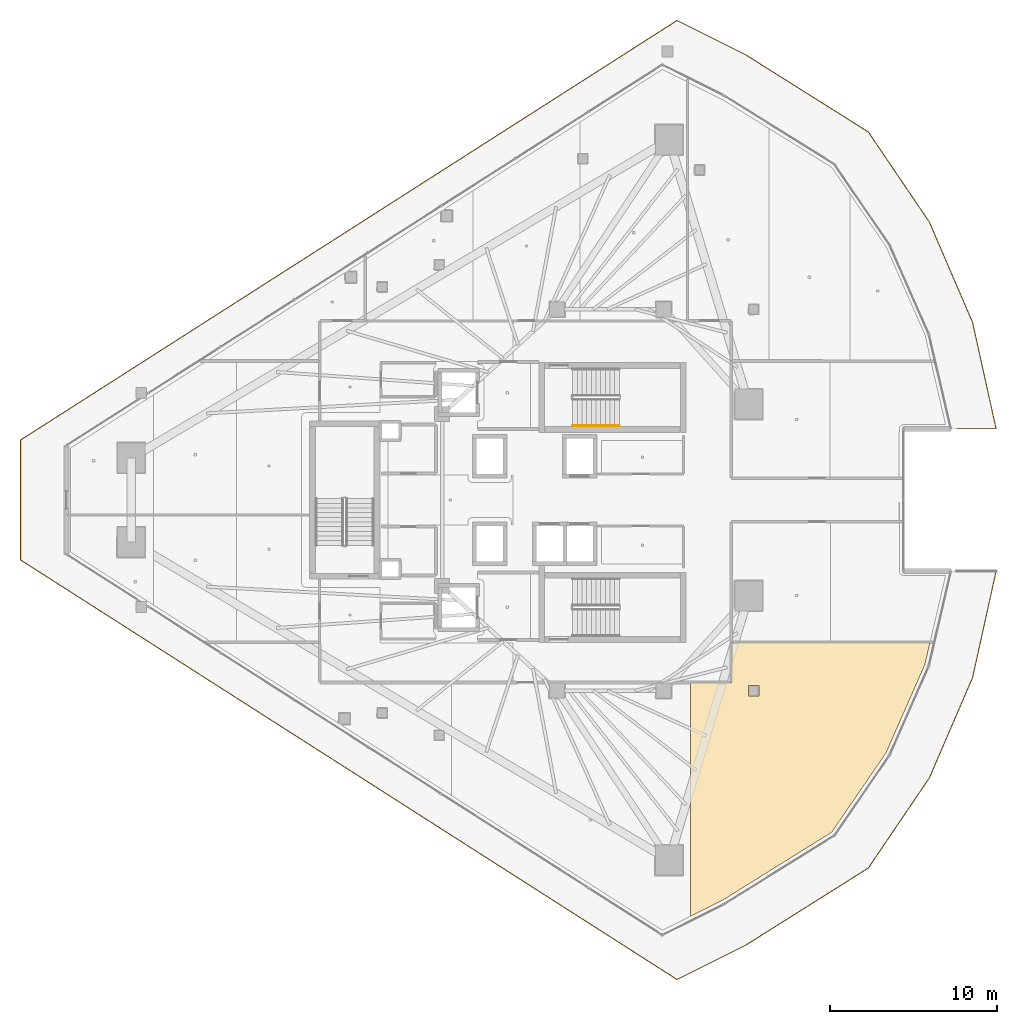
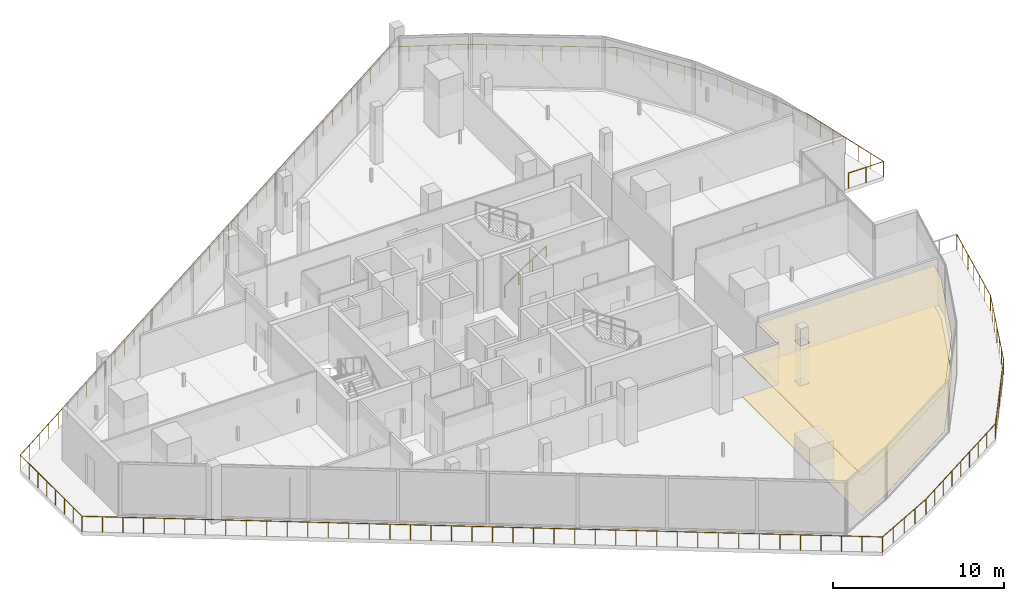
# One storey, part 30 of 33: 2 coverings, 2 railings.
"""IFC4 building model written with IfcOpenShell, lengths in metres."""

from ifc_helpers import new_model, si_unit, direction, frame, origin, origin_2d, place, context, subcontext, project, spatial, polyline, circle, outline, extrude, material, layer, layer_set, type_object, element, save


model = new_model("IFC4")

# Units and contexts
model_context = context("Model", 3, precision=1e-05, world=origin(), true_north=direction((0.0, 1.0)))
body_context = subcontext(model_context, "Body", "Model", "MODEL_VIEW")
ifc_project = project(units=[si_unit("LENGTHUNIT", "METRE"), si_unit("AREAUNIT", "SQUARE_METRE"), si_unit("VOLUMEUNIT", "CUBIC_METRE"), si_unit("PLANEANGLEUNIT", "RADIAN"), si_unit("MASSUNIT", "GRAM", prefix="KILO")], contexts=[model_context])

# Site, building, storey
site_placement = place(None, origin())
site = spatial("IfcSite", under=ifc_project, at=site_placement, CompositionType="ELEMENT")
building_placement = place(site_placement, origin())
building = spatial("IfcBuilding", under=site, at=building_placement, Name="Qorvath Tower", CompositionType="ELEMENT")
storey_placement = place(building_placement, frame((0.0, 0.0, 221.25)))
storey = spatial("IfcBuildingStorey", under=building, at=storey_placement, Name="L51", CompositionType="ELEMENT", Elevation=221.25)

# Coverings
ifc_material_1 = material(Name="Acoustic mineral fibre ceiling tile", Category="gypsum")
ifc_layer_1 = layer(ifc_material_1, 0.030029296875)
ifc_layer_set_1 = layer_set([ifc_layer_1], Name="COV-CEIL")
covering_type_1 = type_object("IfcCoveringType", Name="COV-CEIL", PredefinedType="CEILING", material=ifc_layer_set_1)
covering_1_placement = place(storey_placement, frame((0.0, 0.0, 2.85009765625)))
element("IfcCovering", 1, at=covering_1_placement, inside=storey, type_object=covering_type_1, Name="L51 Suspended Acoustic Ceiling 021", PredefinedType="CEILING", context=body_context, shape_type="SweptSolid", body=[
    extrude(outline(polyline([(-13.6796875, -24.044921875), (-7.109619140625, -19.949462890625), (-3.853515625, -15.191162109375), (-1.519287109375, -9.886474609375), (-1.208984375, -8.554931640625), (-13.136962890625, -8.554931640625), (-13.14208984375, -10.962890625), (-15.579345703125, -10.962890625), (-15.579345703125, -24.994873046875), (-13.6796875, -24.044921875)]), holes=[polyline([(-12.117431640625, -11.767333984375), (-12.117431640625, -11.132568359375), (-11.482666015625, -11.132568359375), (-11.482666015625, -11.767333984375), (-12.117431640625, -11.767333984375)])]), origin(), (0.0, 0.0, 1.0), 0.030029296875),
])
ifc_material_2 = material(Name="Low-VOC modular carpet tile", Category="textile")
ifc_layer_2 = layer(ifc_material_2, 0.014892578125)
ifc_layer_set_2 = layer_set([ifc_layer_2], Name="COV-FLOOR-CPT")
covering_type_2 = type_object("IfcCoveringType", Name="COV-FLOOR-CPT", PredefinedType="FLOORING", material=ifc_layer_set_2)
covering_2_placement = place(storey_placement, origin())
element("IfcCovering", 2, at=covering_2_placement, inside=storey, type_object=covering_type_2, Name="L51 Floor Finish 021", PredefinedType="FLOORING", context=body_context, shape_type="SweptSolid", body=[
    extrude(outline(polyline([(-13.6796875, -24.044921875), (-7.109619140625, -19.949462890625), (-3.853515625, -15.191162109375), (-1.519287109375, -9.886474609375), (-1.208984375, -8.554931640625), (-13.136962890625, -8.554931640625), (-13.14208984375, -10.962890625), (-15.579345703125, -10.962890625), (-15.579345703125, -24.994873046875), (-13.6796875, -24.044921875)]), holes=[polyline([(-12.117431640625, -11.767333984375), (-12.117431640625, -11.132568359375), (-11.482666015625, -11.132568359375), (-11.482666015625, -11.767333984375), (-12.117431640625, -11.767333984375)])]), origin(), (0.0, 0.0, 1.0), 0.014892578125),
])

# Railings
ifc_material_3 = material(Name="Laminated safety glass and stainless steel AISI 316", Category="steel")
railing_type_1 = type_object("IfcRailingType", Name="RL-EXT-GRD", PredefinedType="GUARDRAIL", material=ifc_material_3)
railing_1_placement = place(storey_placement, frame((2.76611328125, -4.27685546875, 0.0)))
element("IfcRailing", 3, at=railing_1_placement, inside=storey, type_object=railing_type_1, Name="Loggia Perimeter Guardrail L51-1.1", PredefinedType="GUARDRAIL", context=body_context, shape_type="SweptSolid", body=[
    extrude(circle(Radius=0.02392578125, at=origin_2d()), frame((0.0, 0.0, 1.09619140625), z_axis=(-0.216105421609, -0.976370035771, 0.0), x_axis=(0.976370035771, -0.216105421609, 0.0)), (0.0, 0.0, 1.0), 6.549072265625),
    extrude(circle(Radius=0.02392578125, at=origin_2d()), frame((-1.415283203125, -6.394287109375, 1.09619140625), z_axis=(-0.395488925139, -0.918470745365, 0.0), x_axis=(0.918470745365, -0.395488925139, 0.0)), (0.0, 0.0, 1.0), 6.549072265625),
    extrude(circle(Radius=0.02392578125, at=origin_2d()), frame((-4.00537109375, -12.409423828125, 1.09619140625), z_axis=(-0.560810228442, -0.827944374747, 0.0), x_axis=(0.827944374747, -0.560810228442, 0.0)), (0.0, 0.0, 1.0), 6.549072265625),
    extrude(circle(Radius=0.02392578125, at=origin_2d()), frame((-7.67822265625, -17.831787109375, 1.09619140625), z_axis=(-0.84649722709, -0.532393129678, 0.0), x_axis=(0.532393129678, -0.84649722709, 0.0)), (0.0, 0.0, 1.0), 8.709228515625),
    extrude(circle(Radius=0.02392578125, at=origin_2d()), frame((-15.050537109375, -22.468505859375, 1.09619140625), z_axis=(-0.894427191, -0.4472135955, 0.0), x_axis=(0.4472135955, -0.894427191, 0.0)), (0.0, 0.0, 1.0), 4.600341796875),
    extrude(circle(Radius=0.02392578125, at=origin_2d()), frame((-19.165283203125, -24.52587890625, 1.09619140625), z_axis=(-0.8426027545, 0.538535605237, 0.0), x_axis=(-0.538535605237, -0.8426027545, 0.0)), (0.0, 0.0, 1.0), 46.798095703125),
    extrude(circle(Radius=0.02392578125, at=origin_2d()), frame((-58.597412109375, 0.676513671875, 1.09619140625), z_axis=(0.0, 1.0, 0.0), x_axis=(-1.0, 0.0, 0.0)), (0.0, 0.0, 1.0), 7.20068359375),
    extrude(circle(Radius=0.02392578125, at=origin_2d()), frame((-58.597412109375, 7.877197265625, 1.09619140625), z_axis=(0.8426027545, 0.538535605237, 0.0), x_axis=(-0.538535605237, 0.8426027545, 0.0)), (0.0, 0.0, 1.0), 46.798095703125),
    extrude(circle(Radius=0.02392578125, at=origin_2d()), frame((-19.165283203125, 33.07958984375, 1.09619140625), z_axis=(0.894427191, -0.4472135955, 0.0), x_axis=(0.4472135955, 0.894427191, 0.0)), (0.0, 0.0, 1.0), 4.600341796875),
    extrude(circle(Radius=0.02392578125, at=origin_2d()), frame((-15.050537109375, 31.022216796875, 1.09619140625), z_axis=(0.84649722709, -0.532393129678, 0.0), x_axis=(0.532393129678, 0.84649722709, 0.0)), (0.0, 0.0, 1.0), 8.709228515625),
    extrude(circle(Radius=0.02392578125, at=origin_2d()), frame((-7.67822265625, 26.385498046875, 1.09619140625), z_axis=(0.560810228442, -0.827944374747, 0.0), x_axis=(0.827944374747, 0.560810228442, 0.0)), (0.0, 0.0, 1.0), 6.549072265625),
    extrude(circle(Radius=0.02392578125, at=origin_2d()), frame((-4.00537109375, 20.963134765625, 1.09619140625), z_axis=(0.395488925139, -0.918470745365, 0.0), x_axis=(0.918470745365, 0.395488925139, 0.0)), (0.0, 0.0, 1.0), 6.549072265625),
    extrude(circle(Radius=0.02392578125, at=origin_2d()), frame((-1.415283203125, 14.947998046875, 1.09619140625), z_axis=(0.216105421609, -0.976370035771, 0.0), x_axis=(0.976370035771, 0.216105421609, 0.0)), (0.0, 0.0, 1.0), 6.549072265625),
    extrude(circle(Radius=0.02392578125, at=origin_2d()), frame((0.0, 8.5537109375, 1.09619140625), z_axis=(-1.0, 0.0, 0.0), x_axis=(0.0, -1.0, 0.0)), (0.0, 0.0, 1.0), 2.366943359375),
    extrude(circle(Radius=0.02099609375, at=origin_2d()), origin(), (0.0, 0.0, 1.0), 1.072021484375),
    extrude(circle(Radius=0.02099609375, at=origin_2d()), frame((-0.23583984375, -1.065673828125, 0.0)), (0.0, 0.0, 1.0), 1.072021484375),
    extrude(circle(Radius=0.02099609375, at=origin_2d()), frame((-0.4716796875, -2.13134765625, 0.0)), (0.0, 0.0, 1.0), 1.072021484375),
    extrude(circle(Radius=0.02099609375, at=origin_2d()), frame((-0.70751953125, -3.197265625, 0.0)), (0.0, 0.0, 1.0), 1.072021484375),
    extrude(circle(Radius=0.02099609375, at=origin_2d()), frame((-0.943603515625, -4.262939453125, 0.0)), (0.0, 0.0, 1.0), 1.072021484375),
    extrude(circle(Radius=0.02099609375, at=origin_2d()), frame((-1.179443359375, -5.32861328125, 0.0)), (0.0, 0.0, 1.0), 1.072021484375),
    extrude(circle(Radius=0.02099609375, at=origin_2d()), frame((-1.415283203125, -6.394287109375, 0.0)), (0.0, 0.0, 1.0), 1.072021484375),
    extrude(circle(Radius=0.02099609375, at=origin_2d()), frame((-1.846923828125, -7.396728515625, 0.0)), (0.0, 0.0, 1.0), 1.072021484375),
    extrude(circle(Radius=0.02099609375, at=origin_2d()), frame((-2.278564453125, -8.3994140625, 0.0)), (0.0, 0.0, 1.0), 1.072021484375),
    extrude(circle(Radius=0.02099609375, at=origin_2d()), frame((-2.71044921875, -9.40185546875, 0.0)), (0.0, 0.0, 1.0), 1.072021484375),
    extrude(circle(Radius=0.02099609375, at=origin_2d()), frame((-3.14208984375, -10.404296875, 0.0)), (0.0, 0.0, 1.0), 1.072021484375),
    extrude(circle(Radius=0.02099609375, at=origin_2d()), frame((-3.57373046875, -11.406982421875, 0.0)), (0.0, 0.0, 1.0), 1.072021484375),
    extrude(circle(Radius=0.02099609375, at=origin_2d()), frame((-4.00537109375, -12.409423828125, 0.0)), (0.0, 0.0, 1.0), 1.072021484375),
    extrude(circle(Radius=0.02099609375, at=origin_2d()), frame((-4.617431640625, -13.313232421875, 0.0)), (0.0, 0.0, 1.0), 1.072021484375),
    extrude(circle(Radius=0.02099609375, at=origin_2d()), frame((-5.229736328125, -14.216796875, 0.0)), (0.0, 0.0, 1.0), 1.072021484375),
    extrude(circle(Radius=0.02099609375, at=origin_2d()), frame((-5.841796875, -15.12060546875, 0.0)), (0.0, 0.0, 1.0), 1.072021484375),
    extrude(circle(Radius=0.02099609375, at=origin_2d()), frame((-6.453857421875, -16.0244140625, 0.0)), (0.0, 0.0, 1.0), 1.072021484375),
    extrude(circle(Radius=0.02099609375, at=origin_2d()), frame((-7.066162109375, -16.927978515625, 0.0)), (0.0, 0.0, 1.0), 1.072021484375),
    extrude(circle(Radius=0.02099609375, at=origin_2d()), frame((-7.67822265625, -17.831787109375, 0.0)), (0.0, 0.0, 1.0), 1.072021484375),
    extrude(circle(Radius=0.02099609375, at=origin_2d()), frame((-8.599853515625, -18.411376953125, 0.0)), (0.0, 0.0, 1.0), 1.072021484375),
    extrude(circle(Radius=0.02099609375, at=origin_2d()), frame((-9.521240234375, -18.990966796875, 0.0)), (0.0, 0.0, 1.0), 1.072021484375),
    extrude(circle(Radius=0.02099609375, at=origin_2d()), frame((-10.44287109375, -19.570556640625, 0.0)), (0.0, 0.0, 1.0), 1.072021484375),
    extrude(circle(Radius=0.02099609375, at=origin_2d()), frame((-11.3642578125, -20.150146484375, 0.0)), (0.0, 0.0, 1.0), 1.072021484375),
    extrude(circle(Radius=0.02099609375, at=origin_2d()), frame((-12.285888671875, -20.729736328125, 0.0)), (0.0, 0.0, 1.0), 1.072021484375),
    extrude(circle(Radius=0.02099609375, at=origin_2d()), frame((-13.20751953125, -21.309326171875, 0.0)), (0.0, 0.0, 1.0), 1.072021484375),
    extrude(circle(Radius=0.02099609375, at=origin_2d()), frame((-14.12890625, -21.888916015625, 0.0)), (0.0, 0.0, 1.0), 1.072021484375),
    extrude(circle(Radius=0.02099609375, at=origin_2d()), frame((-15.050537109375, -22.468505859375, 0.0)), (0.0, 0.0, 1.0), 1.072021484375),
    extrude(circle(Radius=0.02099609375, at=origin_2d()), frame((-16.0791015625, -22.98291015625, 0.0)), (0.0, 0.0, 1.0), 1.072021484375),
    extrude(circle(Radius=0.02099609375, at=origin_2d()), frame((-17.10791015625, -23.4970703125, 0.0)), (0.0, 0.0, 1.0), 1.072021484375),
    extrude(circle(Radius=0.02099609375, at=origin_2d()), frame((-18.13671875, -24.011474609375, 0.0)), (0.0, 0.0, 1.0), 1.072021484375),
    extrude(circle(Radius=0.02099609375, at=origin_2d()), frame((-19.165283203125, -24.52587890625, 0.0)), (0.0, 0.0, 1.0), 1.072021484375),
    extrude(circle(Radius=0.02099609375, at=origin_2d()), frame((-20.17626953125, -23.879638671875, 0.0)), (0.0, 0.0, 1.0), 1.072021484375),
    extrude(circle(Radius=0.02099609375, at=origin_2d()), frame((-21.1875, -23.2333984375, 0.0)), (0.0, 0.0, 1.0), 1.072021484375),
    extrude(circle(Radius=0.02099609375, at=origin_2d()), frame((-22.198486328125, -22.587158203125, 0.0)), (0.0, 0.0, 1.0), 1.072021484375),
    extrude(circle(Radius=0.02099609375, at=origin_2d()), frame((-23.209716796875, -21.94091796875, 0.0)), (0.0, 0.0, 1.0), 1.072021484375),
    extrude(circle(Radius=0.02099609375, at=origin_2d()), frame((-24.220703125, -21.294921875, 0.0)), (0.0, 0.0, 1.0), 1.072021484375),
    extrude(circle(Radius=0.02099609375, at=origin_2d()), frame((-25.231689453125, -20.648681640625, 0.0)), (0.0, 0.0, 1.0), 1.072021484375),
    extrude(circle(Radius=0.02099609375, at=origin_2d()), frame((-26.242919921875, -20.00244140625, 0.0)), (0.0, 0.0, 1.0), 1.072021484375),
    extrude(circle(Radius=0.02099609375, at=origin_2d()), frame((-27.25390625, -19.356201171875, 0.0)), (0.0, 0.0, 1.0), 1.072021484375),
    extrude(circle(Radius=0.02099609375, at=origin_2d()), frame((-28.264892578125, -18.7099609375, 0.0)), (0.0, 0.0, 1.0), 1.072021484375),
    extrude(circle(Radius=0.02099609375, at=origin_2d()), frame((-29.276123046875, -18.063720703125, 0.0)), (0.0, 0.0, 1.0), 1.072021484375),
    extrude(circle(Radius=0.02099609375, at=origin_2d()), frame((-30.287109375, -17.41748046875, 0.0)), (0.0, 0.0, 1.0), 1.072021484375),
    extrude(circle(Radius=0.02099609375, at=origin_2d()), frame((-31.29833984375, -16.771240234375, 0.0)), (0.0, 0.0, 1.0), 1.072021484375),
    extrude(circle(Radius=0.02099609375, at=origin_2d()), frame((-32.309326171875, -16.125, 0.0)), (0.0, 0.0, 1.0), 1.072021484375),
    extrude(circle(Radius=0.02099609375, at=origin_2d()), frame((-33.3203125, -15.478759765625, 0.0)), (0.0, 0.0, 1.0), 1.072021484375),
    extrude(circle(Radius=0.02099609375, at=origin_2d()), frame((-34.33154296875, -14.832763671875, 0.0)), (0.0, 0.0, 1.0), 1.072021484375),
    extrude(circle(Radius=0.02099609375, at=origin_2d()), frame((-35.342529296875, -14.1865234375, 0.0)), (0.0, 0.0, 1.0), 1.072021484375),
    extrude(circle(Radius=0.02099609375, at=origin_2d()), frame((-36.353759765625, -13.540283203125, 0.0)), (0.0, 0.0, 1.0), 1.072021484375),
    extrude(circle(Radius=0.02099609375, at=origin_2d()), frame((-37.36474609375, -12.89404296875, 0.0)), (0.0, 0.0, 1.0), 1.072021484375),
    extrude(circle(Radius=0.02099609375, at=origin_2d()), frame((-38.375732421875, -12.247802734375, 0.0)), (0.0, 0.0, 1.0), 1.072021484375),
    extrude(circle(Radius=0.02099609375, at=origin_2d()), frame((-39.386962890625, -11.6015625, 0.0)), (0.0, 0.0, 1.0), 1.072021484375),
    extrude(circle(Radius=0.02099609375, at=origin_2d()), frame((-40.39794921875, -10.955322265625, 0.0)), (0.0, 0.0, 1.0), 1.072021484375),
    extrude(circle(Radius=0.02099609375, at=origin_2d()), frame((-41.408935546875, -10.30908203125, 0.0)), (0.0, 0.0, 1.0), 1.072021484375),
    extrude(circle(Radius=0.02099609375, at=origin_2d()), frame((-42.420166015625, -9.662841796875, 0.0)), (0.0, 0.0, 1.0), 1.072021484375),
    extrude(circle(Radius=0.02099609375, at=origin_2d()), frame((-43.43115234375, -9.0166015625, 0.0)), (0.0, 0.0, 1.0), 1.072021484375),
    extrude(circle(Radius=0.02099609375, at=origin_2d()), frame((-44.4423828125, -8.37060546875, 0.0)), (0.0, 0.0, 1.0), 1.072021484375),
    extrude(circle(Radius=0.02099609375, at=origin_2d()), frame((-45.453369140625, -7.724365234375, 0.0)), (0.0, 0.0, 1.0), 1.072021484375),
    extrude(circle(Radius=0.02099609375, at=origin_2d()), frame((-46.46435546875, -7.078125, 0.0)), (0.0, 0.0, 1.0), 1.072021484375),
    extrude(circle(Radius=0.02099609375, at=origin_2d()), frame((-47.4755859375, -6.431884765625, 0.0)), (0.0, 0.0, 1.0), 1.072021484375),
    extrude(circle(Radius=0.02099609375, at=origin_2d()), frame((-48.486572265625, -5.78564453125, 0.0)), (0.0, 0.0, 1.0), 1.072021484375),
    extrude(circle(Radius=0.02099609375, at=origin_2d()), frame((-49.497802734375, -5.139404296875, 0.0)), (0.0, 0.0, 1.0), 1.072021484375),
    extrude(circle(Radius=0.02099609375, at=origin_2d()), frame((-50.5087890625, -4.4931640625, 0.0)), (0.0, 0.0, 1.0), 1.072021484375),
    extrude(circle(Radius=0.02099609375, at=origin_2d()), frame((-51.519775390625, -3.846923828125, 0.0)), (0.0, 0.0, 1.0), 1.072021484375),
    extrude(circle(Radius=0.02099609375, at=origin_2d()), frame((-52.531005859375, -3.20068359375, 0.0)), (0.0, 0.0, 1.0), 1.072021484375),
    extrude(circle(Radius=0.02099609375, at=origin_2d()), frame((-53.5419921875, -2.554443359375, 0.0)), (0.0, 0.0, 1.0), 1.072021484375),
    extrude(circle(Radius=0.02099609375, at=origin_2d()), frame((-54.552978515625, -1.908447265625, 0.0)), (0.0, 0.0, 1.0), 1.072021484375),
    extrude(circle(Radius=0.02099609375, at=origin_2d()), frame((-55.564208984375, -1.26220703125, 0.0)), (0.0, 0.0, 1.0), 1.072021484375),
    extrude(circle(Radius=0.02099609375, at=origin_2d()), frame((-56.5751953125, -0.615966796875, 0.0)), (0.0, 0.0, 1.0), 1.072021484375),
    extrude(circle(Radius=0.02099609375, at=origin_2d()), frame((-57.58642578125, 0.0302734375, 0.0)), (0.0, 0.0, 1.0), 1.072021484375),
    extrude(circle(Radius=0.02099609375, at=origin_2d()), frame((-58.597412109375, 0.676513671875, 0.0)), (0.0, 0.0, 1.0), 1.072021484375),
    extrude(circle(Radius=0.02099609375, at=origin_2d()), frame((-58.597412109375, 1.705078125, 0.0)), (0.0, 0.0, 1.0), 1.072021484375),
    extrude(circle(Radius=0.02099609375, at=origin_2d()), frame((-58.597412109375, 2.73388671875, 0.0)), (0.0, 0.0, 1.0), 1.072021484375),
    extrude(circle(Radius=0.02099609375, at=origin_2d()), frame((-58.597412109375, 3.762451171875, 0.0)), (0.0, 0.0, 1.0), 1.072021484375),
    extrude(circle(Radius=0.02099609375, at=origin_2d()), frame((-58.597412109375, 4.791259765625, 0.0)), (0.0, 0.0, 1.0), 1.072021484375),
    extrude(circle(Radius=0.02099609375, at=origin_2d()), frame((-58.597412109375, 5.81982421875, 0.0)), (0.0, 0.0, 1.0), 1.072021484375),
    extrude(circle(Radius=0.02099609375, at=origin_2d()), frame((-58.597412109375, 6.8486328125, 0.0)), (0.0, 0.0, 1.0), 1.072021484375),
    extrude(circle(Radius=0.02099609375, at=origin_2d()), frame((-58.597412109375, 7.877197265625, 0.0)), (0.0, 0.0, 1.0), 1.072021484375),
    extrude(circle(Radius=0.02099609375, at=origin_2d()), frame((-57.58642578125, 8.5234375, 0.0)), (0.0, 0.0, 1.0), 1.072021484375),
    extrude(circle(Radius=0.02099609375, at=origin_2d()), frame((-56.5751953125, 9.169677734375, 0.0)), (0.0, 0.0, 1.0), 1.072021484375),
    extrude(circle(Radius=0.02099609375, at=origin_2d()), frame((-55.564208984375, 9.81591796875, 0.0)), (0.0, 0.0, 1.0), 1.072021484375),
    extrude(circle(Radius=0.02099609375, at=origin_2d()), frame((-54.552978515625, 10.462158203125, 0.0)), (0.0, 0.0, 1.0), 1.072021484375),
    extrude(circle(Radius=0.02099609375, at=origin_2d()), frame((-53.5419921875, 11.108154296875, 0.0)), (0.0, 0.0, 1.0), 1.072021484375),
    extrude(circle(Radius=0.02099609375, at=origin_2d()), frame((-52.531005859375, 11.75439453125, 0.0)), (0.0, 0.0, 1.0), 1.072021484375),
    extrude(circle(Radius=0.02099609375, at=origin_2d()), frame((-51.519775390625, 12.400634765625, 0.0)), (0.0, 0.0, 1.0), 1.072021484375),
    extrude(circle(Radius=0.02099609375, at=origin_2d()), frame((-50.5087890625, 13.046875, 0.0)), (0.0, 0.0, 1.0), 1.072021484375),
    extrude(circle(Radius=0.02099609375, at=origin_2d()), frame((-49.497802734375, 13.693115234375, 0.0)), (0.0, 0.0, 1.0), 1.072021484375),
    extrude(circle(Radius=0.02099609375, at=origin_2d()), frame((-48.486572265625, 14.33935546875, 0.0)), (0.0, 0.0, 1.0), 1.072021484375),
    extrude(circle(Radius=0.02099609375, at=origin_2d()), frame((-47.4755859375, 14.985595703125, 0.0)), (0.0, 0.0, 1.0), 1.072021484375),
    extrude(circle(Radius=0.02099609375, at=origin_2d()), frame((-46.46435546875, 15.6318359375, 0.0)), (0.0, 0.0, 1.0), 1.072021484375),
    extrude(circle(Radius=0.02099609375, at=origin_2d()), frame((-45.453369140625, 16.278076171875, 0.0)), (0.0, 0.0, 1.0), 1.072021484375),
    extrude(circle(Radius=0.02099609375, at=origin_2d()), frame((-44.4423828125, 16.92431640625, 0.0)), (0.0, 0.0, 1.0), 1.072021484375),
    extrude(circle(Radius=0.02099609375, at=origin_2d()), frame((-43.43115234375, 17.5703125, 0.0)), (0.0, 0.0, 1.0), 1.072021484375),
    extrude(circle(Radius=0.02099609375, at=origin_2d()), frame((-42.420166015625, 18.216552734375, 0.0)), (0.0, 0.0, 1.0), 1.072021484375),
    extrude(circle(Radius=0.02099609375, at=origin_2d()), frame((-41.408935546875, 18.86279296875, 0.0)), (0.0, 0.0, 1.0), 1.072021484375),
    extrude(circle(Radius=0.02099609375, at=origin_2d()), frame((-40.39794921875, 19.509033203125, 0.0)), (0.0, 0.0, 1.0), 1.072021484375),
    extrude(circle(Radius=0.02099609375, at=origin_2d()), frame((-39.386962890625, 20.1552734375, 0.0)), (0.0, 0.0, 1.0), 1.072021484375),
    extrude(circle(Radius=0.02099609375, at=origin_2d()), frame((-38.375732421875, 20.801513671875, 0.0)), (0.0, 0.0, 1.0), 1.072021484375),
    extrude(circle(Radius=0.02099609375, at=origin_2d()), frame((-37.36474609375, 21.44775390625, 0.0)), (0.0, 0.0, 1.0), 1.072021484375),
    extrude(circle(Radius=0.02099609375, at=origin_2d()), frame((-36.353759765625, 22.093994140625, 0.0)), (0.0, 0.0, 1.0), 1.072021484375),
    extrude(circle(Radius=0.02099609375, at=origin_2d()), frame((-35.342529296875, 22.740234375, 0.0)), (0.0, 0.0, 1.0), 1.072021484375),
    extrude(circle(Radius=0.02099609375, at=origin_2d()), frame((-34.33154296875, 23.386474609375, 0.0)), (0.0, 0.0, 1.0), 1.072021484375),
    extrude(circle(Radius=0.02099609375, at=origin_2d()), frame((-33.3203125, 24.032470703125, 0.0)), (0.0, 0.0, 1.0), 1.072021484375),
    extrude(circle(Radius=0.02099609375, at=origin_2d()), frame((-32.309326171875, 24.6787109375, 0.0)), (0.0, 0.0, 1.0), 1.072021484375),
    extrude(circle(Radius=0.02099609375, at=origin_2d()), frame((-31.29833984375, 25.324951171875, 0.0)), (0.0, 0.0, 1.0), 1.072021484375),
    extrude(circle(Radius=0.02099609375, at=origin_2d()), frame((-30.287109375, 25.97119140625, 0.0)), (0.0, 0.0, 1.0), 1.072021484375),
    extrude(circle(Radius=0.02099609375, at=origin_2d()), frame((-29.276123046875, 26.617431640625, 0.0)), (0.0, 0.0, 1.0), 1.072021484375),
    extrude(circle(Radius=0.02099609375, at=origin_2d()), frame((-28.264892578125, 27.263671875, 0.0)), (0.0, 0.0, 1.0), 1.072021484375),
    extrude(circle(Radius=0.02099609375, at=origin_2d()), frame((-27.25390625, 27.909912109375, 0.0)), (0.0, 0.0, 1.0), 1.072021484375),
    extrude(circle(Radius=0.02099609375, at=origin_2d()), frame((-26.242919921875, 28.55615234375, 0.0)), (0.0, 0.0, 1.0), 1.072021484375),
    extrude(circle(Radius=0.02099609375, at=origin_2d()), frame((-25.231689453125, 29.202392578125, 0.0)), (0.0, 0.0, 1.0), 1.072021484375),
    extrude(circle(Radius=0.02099609375, at=origin_2d()), frame((-24.220703125, 29.8486328125, 0.0)), (0.0, 0.0, 1.0), 1.072021484375),
    extrude(circle(Radius=0.02099609375, at=origin_2d()), frame((-23.209716796875, 30.49462890625, 0.0)), (0.0, 0.0, 1.0), 1.072021484375),
    extrude(circle(Radius=0.02099609375, at=origin_2d()), frame((-22.198486328125, 31.140869140625, 0.0)), (0.0, 0.0, 1.0), 1.072021484375),
    extrude(circle(Radius=0.02099609375, at=origin_2d()), frame((-21.1875, 31.787109375, 0.0)), (0.0, 0.0, 1.0), 1.072021484375),
    extrude(circle(Radius=0.02099609375, at=origin_2d()), frame((-20.17626953125, 32.433349609375, 0.0)), (0.0, 0.0, 1.0), 1.072021484375),
    extrude(circle(Radius=0.02099609375, at=origin_2d()), frame((-19.165283203125, 33.07958984375, 0.0)), (0.0, 0.0, 1.0), 1.072021484375),
    extrude(circle(Radius=0.02099609375, at=origin_2d()), frame((-18.13671875, 32.565185546875, 0.0)), (0.0, 0.0, 1.0), 1.072021484375),
    extrude(circle(Radius=0.02099609375, at=origin_2d()), frame((-17.10791015625, 32.05078125, 0.0)), (0.0, 0.0, 1.0), 1.072021484375),
    extrude(circle(Radius=0.02099609375, at=origin_2d()), frame((-16.0791015625, 31.53662109375, 0.0)), (0.0, 0.0, 1.0), 1.072021484375),
    extrude(circle(Radius=0.02099609375, at=origin_2d()), frame((-15.050537109375, 31.022216796875, 0.0)), (0.0, 0.0, 1.0), 1.072021484375),
    extrude(circle(Radius=0.02099609375, at=origin_2d()), frame((-14.12890625, 30.442626953125, 0.0)), (0.0, 0.0, 1.0), 1.072021484375),
    extrude(circle(Radius=0.02099609375, at=origin_2d()), frame((-13.20751953125, 29.863037109375, 0.0)), (0.0, 0.0, 1.0), 1.072021484375),
    extrude(circle(Radius=0.02099609375, at=origin_2d()), frame((-12.285888671875, 29.283447265625, 0.0)), (0.0, 0.0, 1.0), 1.072021484375),
    extrude(circle(Radius=0.02099609375, at=origin_2d()), frame((-11.3642578125, 28.703857421875, 0.0)), (0.0, 0.0, 1.0), 1.072021484375),
    extrude(circle(Radius=0.02099609375, at=origin_2d()), frame((-10.44287109375, 28.124267578125, 0.0)), (0.0, 0.0, 1.0), 1.072021484375),
    extrude(circle(Radius=0.02099609375, at=origin_2d()), frame((-9.521240234375, 27.544677734375, 0.0)), (0.0, 0.0, 1.0), 1.072021484375),
    extrude(circle(Radius=0.02099609375, at=origin_2d()), frame((-8.599853515625, 26.965087890625, 0.0)), (0.0, 0.0, 1.0), 1.072021484375),
    extrude(circle(Radius=0.02099609375, at=origin_2d()), frame((-7.67822265625, 26.385498046875, 0.0)), (0.0, 0.0, 1.0), 1.072021484375),
    extrude(circle(Radius=0.02099609375, at=origin_2d()), frame((-7.066162109375, 25.481689453125, 0.0)), (0.0, 0.0, 1.0), 1.072021484375),
    extrude(circle(Radius=0.02099609375, at=origin_2d()), frame((-6.453857421875, 24.578125, 0.0)), (0.0, 0.0, 1.0), 1.072021484375),
    extrude(circle(Radius=0.02099609375, at=origin_2d()), frame((-5.841796875, 23.67431640625, 0.0)), (0.0, 0.0, 1.0), 1.072021484375),
    extrude(circle(Radius=0.02099609375, at=origin_2d()), frame((-5.229736328125, 22.7705078125, 0.0)), (0.0, 0.0, 1.0), 1.072021484375),
    extrude(circle(Radius=0.02099609375, at=origin_2d()), frame((-4.617431640625, 21.866943359375, 0.0)), (0.0, 0.0, 1.0), 1.072021484375),
    extrude(circle(Radius=0.02099609375, at=origin_2d()), frame((-4.00537109375, 20.963134765625, 0.0)), (0.0, 0.0, 1.0), 1.072021484375),
    extrude(circle(Radius=0.02099609375, at=origin_2d()), frame((-3.57373046875, 19.960693359375, 0.0)), (0.0, 0.0, 1.0), 1.072021484375),
    extrude(circle(Radius=0.02099609375, at=origin_2d()), frame((-3.14208984375, 18.9580078125, 0.0)), (0.0, 0.0, 1.0), 1.072021484375),
    extrude(circle(Radius=0.02099609375, at=origin_2d()), frame((-2.71044921875, 17.95556640625, 0.0)), (0.0, 0.0, 1.0), 1.072021484375),
    extrude(circle(Radius=0.02099609375, at=origin_2d()), frame((-2.278564453125, 16.953125, 0.0)), (0.0, 0.0, 1.0), 1.072021484375),
    extrude(circle(Radius=0.02099609375, at=origin_2d()), frame((-1.846923828125, 15.950439453125, 0.0)), (0.0, 0.0, 1.0), 1.072021484375),
    extrude(circle(Radius=0.02099609375, at=origin_2d()), frame((-1.415283203125, 14.947998046875, 0.0)), (0.0, 0.0, 1.0), 1.072021484375),
    extrude(circle(Radius=0.02099609375, at=origin_2d()), frame((-1.179443359375, 13.88232421875, 0.0)), (0.0, 0.0, 1.0), 1.072021484375),
    extrude(circle(Radius=0.02099609375, at=origin_2d()), frame((-0.943603515625, 12.816650390625, 0.0)), (0.0, 0.0, 1.0), 1.072021484375),
    extrude(circle(Radius=0.02099609375, at=origin_2d()), frame((-0.70751953125, 11.7509765625, 0.0)), (0.0, 0.0, 1.0), 1.072021484375),
    extrude(circle(Radius=0.02099609375, at=origin_2d()), frame((-0.4716796875, 10.68505859375, 0.0)), (0.0, 0.0, 1.0), 1.072021484375),
    extrude(circle(Radius=0.02099609375, at=origin_2d()), frame((-0.23583984375, 9.619384765625, 0.0)), (0.0, 0.0, 1.0), 1.072021484375),
    extrude(circle(Radius=0.02099609375, at=origin_2d()), frame((0.0, 8.5537109375, 0.0)), (0.0, 0.0, 1.0), 1.072021484375),
    extrude(circle(Radius=0.02099609375, at=origin_2d()), frame((-1.18359375, 8.5537109375, 0.0)), (0.0, 0.0, 1.0), 1.072021484375),
    extrude(circle(Radius=0.02099609375, at=origin_2d()), frame((-2.366943359375, 8.5537109375, 0.0)), (0.0, 0.0, 1.0), 1.072021484375),
])
ifc_material_4 = material(Name="Brushed stainless steel AISI 304", Category="steel")
railing_type_2 = type_object("IfcRailingType", Name="RL-STR-HND", PredefinedType="HANDRAIL", material=ifc_material_4)
railing_2_placement = place(storey_placement, frame((-22.669921875, 4.449951171875, 0.18408203125)))
element("IfcRailing", 4, at=railing_2_placement, inside=storey, type_object=railing_type_2, Name="L51 TS1 stair handrail 1", PredefinedType="HANDRAIL", context=body_context, shape_type="SweptSolid", body=[
    extrude(circle(Radius=0.02392578125, at=origin_2d()), frame((0.0, 0.0, 0.8759765625), z_axis=(0.835575518608, 0.0, 0.549375602573), x_axis=(0.0, 1.0, 0.0)), (0.0, 0.0, 1.0), 3.350830078125),
    extrude(circle(Radius=0.02099609375, at=origin_2d()), origin(), (0.0, 0.0, 1.0), 0.851806640625),
    extrude(circle(Radius=0.02099609375, at=origin_2d()), frame((0.933349609375, 0.0, 0.613525390625)), (0.0, 0.0, 1.0), 0.851806640625),
    extrude(circle(Radius=0.02099609375, at=origin_2d()), frame((1.866455078125, 0.0, 1.227294921875)), (0.0, 0.0, 1.0), 0.851806640625),
    extrude(circle(Radius=0.02099609375, at=origin_2d()), frame((2.7998046875, 0.0, 1.8408203125)), (0.0, 0.0, 1.0), 0.851806640625),
])

save(model, "model.ifc")
